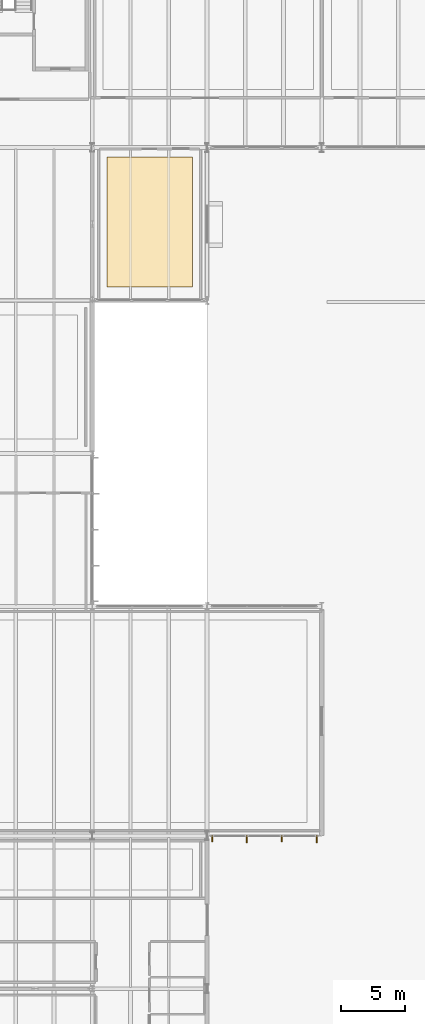
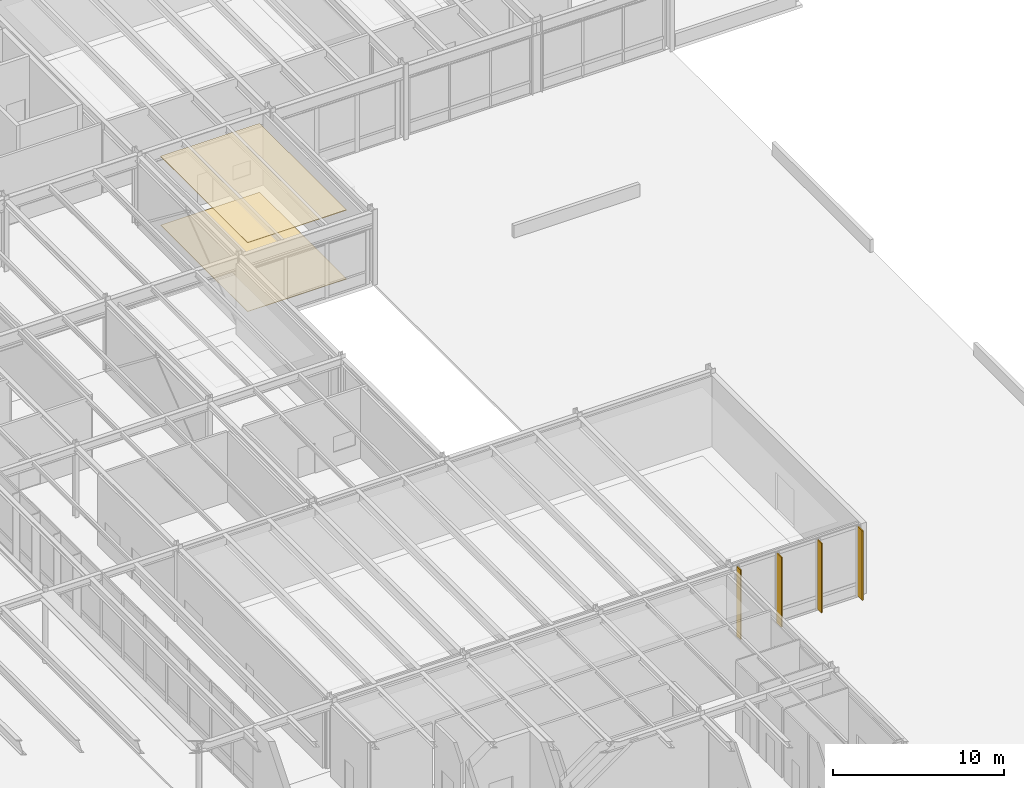
# One storey, part 141 of 143: 4 shading devices, 2 coverings.
"""IFC4 building model written with IfcOpenShell, lengths in metres."""

from ifc_helpers import new_model, si_unit, direction, frame, origin, origin_2d, place, context, subcontext, project, spatial, polyline, rectangle, outline, extrude, material, layer, layer_set, type_object, element, save


model = new_model("IFC4")

# Units and contexts
model_context = context("Model", 3, precision=1e-05, world=origin(), true_north=direction((0.0, 1.0)))
body_context = subcontext(model_context, "Body", "Model", "MODEL_VIEW")
ifc_project = project(units=[si_unit("LENGTHUNIT", "METRE"), si_unit("AREAUNIT", "SQUARE_METRE"), si_unit("VOLUMEUNIT", "CUBIC_METRE"), si_unit("PLANEANGLEUNIT", "RADIAN"), si_unit("MASSUNIT", "GRAM", prefix="KILO")], contexts=[model_context])

# Site, building, storey
site_placement = place(None, origin())
site = spatial("IfcSite", under=ifc_project, at=site_placement, CompositionType="ELEMENT")
building_placement = place(site_placement, origin())
building = spatial("IfcBuilding", under=site, at=building_placement, Name="Montelvaro Courts of Justice", CompositionType="ELEMENT")
storey_placement = place(building_placement, origin())
storey = spatial("IfcBuildingStorey", under=building, at=storey_placement, Name="L00", CompositionType="ELEMENT", Elevation=0.0)

# Coverings
ifc_material_1 = material(Name="Perforated acoustic gypsum ceiling")
ifc_layer_1 = layer(ifc_material_1, 0.0400390625)
ifc_layer_set_1 = layer_set([ifc_layer_1], Name="Perforated acoustic gypsum ceiling")
covering_type_1 = type_object("IfcCoveringType", Name="AcousticCeiling_Court", PredefinedType="CEILING", material=ifc_layer_set_1)
covering_1_placement = place(storey_placement, frame((0.0, 0.0, 4.919921875)))
element("IfcCovering", 1, at=covering_1_placement, inside=storey, type_object=covering_type_1, Name="Acoustic Ceiling Panel AC-01 (L00-27)", PredefinedType="CEILING", context=body_context, shape_type="SweptSolid", body=[
    extrude(outline(polyline([(133.85009765625, 67.050048828125), (127.14990234375, 67.050048828125), (127.14990234375, 77.25), (133.85009765625, 77.25), (133.85009765625, 67.050048828125)])), origin(), (0.0, 0.0, 1.0), 0.0400390625),
])
ifc_material_2 = material(Name="Alicante limestone judicial flooring", Category="masonry")
ifc_layer_2 = layer(ifc_material_2, 0.030029296875)
ifc_layer_set_2 = layer_set([ifc_layer_2], Name="Alicante limestone judicial flooring")
covering_type_2 = type_object("IfcCoveringType", Name="JudicialStoneFlooring", PredefinedType="FLOORING", material=ifc_layer_set_2)
covering_2_placement = place(storey_placement, origin())
element("IfcCovering", 2, at=covering_2_placement, inside=storey, type_object=covering_type_2, Name="Judicial Stone Flooring FLR-01 (L00-27)", PredefinedType="FLOORING", context=body_context, shape_type="SweptSolid", body=[
    extrude(outline(polyline([(133.85009765625, 67.050048828125), (127.14990234375, 67.050048828125), (127.14990234375, 77.25), (133.85009765625, 77.25), (133.85009765625, 67.050048828125)])), origin(), (0.0, 0.0, 1.0), 0.030029296875),
])

# Shading devices
ifc_material_3 = material(Name="Champagne anodised aluminium EN AW-6063", Category="aluminium")
ifc_layer_3 = layer(ifc_material_3, 0.080078125)
ifc_layer_set_3 = layer_set([ifc_layer_3], Name="Champagne anodised aluminium EN AW-6063")
shading_device_type_1 = type_object("IfcShadingDeviceType", Name="SolarFin_Champagne", PredefinedType="JALOUSIE", material=ifc_layer_set_3)
for number, where, z_axis, x_axis, name in (
    (3, (138.12158203125, 23.72509765625, 0.050048828125), (0.0, 0.0, 1.0), (1.0, 0.0, 0.0), "Solar Brise-Soleil Fin SH-01 CW-072"),
    (4, (143.597412109375, 23.72509765625, 0.050048828125), (0.0, 0.0, 1.0), (1.0, 0.0, 0.0), "Solar Brise-Soleil Fin SH-01 CW-074"),
):
    element("IfcShadingDevice", number, at=place(storey_placement, frame(where, z_axis=z_axis, x_axis=x_axis)), inside=storey, type_object=shading_device_type_1, Name=name, PredefinedType="JALOUSIE", context=body_context, shape_type="SweptSolid", body=[
        extrude(rectangle(XDim=0.080078125, YDim=0.550048828125, at=origin_2d()), origin(), (0.0, 0.0, 1.0), 4.97998046875),
    ])
ifc_layer_4 = layer(ifc_material_3, 0.070068359375)
ifc_layer_set_4 = layer_set([ifc_layer_4], Name="Champagne anodised aluminium EN AW-6063")
shading_device_type_2 = type_object("IfcShadingDeviceType", Name="SolarLouvre_Mediterranean", PredefinedType="SHUTTER", material=ifc_layer_set_4)
for number, where, z_axis, x_axis, name in (
    (5, (135.402587890625, 23.77490234375, 0.050048828125), (0.0, 0.0, 1.0), (1.0, 0.0, 0.0), "Solar Brise-Soleil Fin SH-02 CW-071"),
    (6, (140.87841796875, 23.77490234375, 0.050048828125), (0.0, 0.0, 1.0), (1.0, 0.0, 0.0), "Solar Brise-Soleil Fin SH-02 CW-073"),
):
    element("IfcShadingDevice", number, at=place(storey_placement, frame(where, z_axis=z_axis, x_axis=x_axis)), inside=storey, type_object=shading_device_type_2, Name=name, PredefinedType="SHUTTER", context=body_context, shape_type="SweptSolid", body=[
        extrude(rectangle(XDim=0.070068359375, YDim=0.449951171875, at=origin_2d()), origin(), (0.0, 0.0, 1.0), 4.97998046875),
    ])

save(model, "model.ifc")
